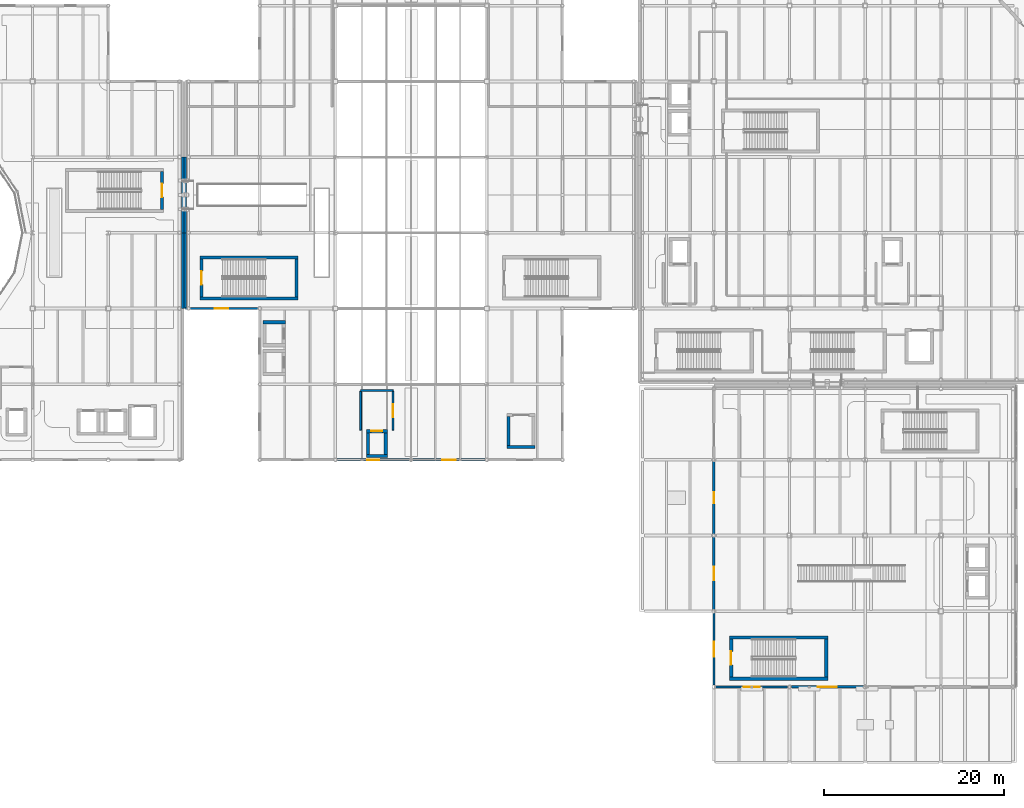
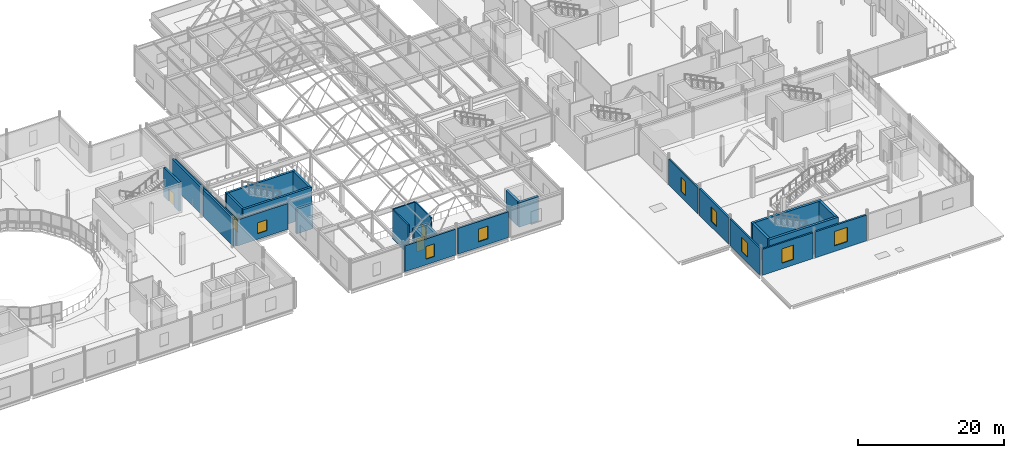
# One storey, part 64 of 103: 31 walls, 8 windows, 5 doors, 13 openings.
"""IFC4 building model written with IfcOpenShell, lengths in metres."""

from ifc_helpers import new_model, si_unit, direction, frame, frame_2d, origin, place, context, subcontext, project, spatial, rectangle, extrude, material, layer, layer_set, type_object, element, fill, save


model = new_model("IFC4")

# Units and contexts
model_context = context("Model", 3, precision=1e-05, world=origin(), true_north=direction((0.0, 1.0)))
body_context = subcontext(model_context, "Body", "Model", "MODEL_VIEW")
ifc_project = project(units=[si_unit("LENGTHUNIT", "METRE"), si_unit("AREAUNIT", "SQUARE_METRE"), si_unit("VOLUMEUNIT", "CUBIC_METRE"), si_unit("PLANEANGLEUNIT", "RADIAN"), si_unit("MASSUNIT", "GRAM", prefix="KILO"), si_unit("THERMODYNAMICTEMPERATUREUNIT", "KELVIN")], contexts=[model_context])

# Site, building, storey
site_placement = place(None, origin())
site = spatial("IfcSite", under=ifc_project, at=site_placement, CompositionType="ELEMENT")
building_placement = place(site_placement, origin())
building = spatial("IfcBuilding", under=site, at=building_placement, Name="Lustrewick Department Store", CompositionType="ELEMENT")
storey_placement = place(building_placement, frame((0.0, 0.0, 16.5)))
storey = spatial("IfcBuildingStorey", under=building, at=storey_placement, Name="L04", CompositionType="ELEMENT", Elevation=16.5)

# Wall, opening, window
ifc_material_1 = material(Name="Precast concrete C40", Category="concrete")
ifc_layer_1 = layer(ifc_material_1, 0.239990234375, Name="Precast concrete C40")
ifc_layer_set_1 = layer_set([ifc_layer_1], Name="Precast concrete C40")
wall_type_1 = type_object("IfcWallType", Name="EW01", PredefinedType="STANDARD", material=ifc_layer_set_1)
wall_1_placement = place(storey_placement, frame((117.60009765625, 25.001953125, 0.0), z_axis=(0.0, 0.0, 1.0), x_axis=(0.0, -1.0, 0.0)))
wall_1 = element("IfcWall", 1, at=wall_1_placement, inside=storey, type_object=wall_type_1, Name="L04 V3 Exterior Wall EW01", PredefinedType="STANDARD", context=body_context, shape_type="SweptSolid", body=[
    extrude(rectangle(XDim=8.00390625, YDim=0.239990234375, at=frame_2d((4.001953125, 0.0))), origin(), (0.0, 0.0, 1.0), 4.487060546875),
])
opening_1_placement = place(wall_1_placement, frame((3.162109375, 0.0, 0.949951171875)))
opening_1 = element("IfcOpeningElement", 2, at=opening_1_placement, cuts=wall_1, Name="Opening WN15", PredefinedType="OPENING", context=body_context, shape_type="SweptSolid", body=[
    extrude(rectangle(XDim=1.679931640625, YDim=2.39990234375, at=frame_2d((0.83984375, 1.199951171875))), frame((0.0, 0.1298828125, 0.0), z_axis=(0.0, -1.0, 0.0), x_axis=(1.0, 0.0, 0.0)), (0.0, 0.0, 1.0), 0.260009765625),
])
ifc_material_2 = material(Name="Thermally broken Low-E triple-glazed window", Category="glass")
window_type_1 = type_object("IfcWindowType", Name="WN15", PartitioningType="DOUBLE_PANEL_VERTICAL", PredefinedType="WINDOW", material=ifc_material_2)
window_1_placement = place(opening_1_placement, origin())
window_1 = element("IfcWindow", 3, at=window_1_placement, inside=storey, type_object=window_type_1, Name="L04 Art Nouveau Window WN15", OverallHeight=2.39990234375, OverallWidth=1.679931640625, PartitioningType="SINGLE_PANEL", PredefinedType="WINDOW", context=body_context, shape_type="SweptSolid", body=[
    extrude(rectangle(XDim=1.679931640625, YDim=2.39990234375, at=frame_2d((0.83984375, 1.199951171875))), frame((0.0, 0.030029296875, 0.0), z_axis=(0.0, -1.0, 0.0), x_axis=(1.0, 0.0, 0.0)), (0.0, 0.0, 1.0), 0.06005859375),
])
fill(opening_1, window_1)

ifc_layer_2 = layer(ifc_material_1, 0.260009765625, Name="Precast concrete C40")
ifc_layer_set_2 = layer_set([ifc_layer_2], Name="Precast concrete C40")
wall_type_2 = type_object("IfcWallType", Name="EW02", PredefinedType="STANDARD", material=ifc_layer_set_2)
wall_2_placement = place(storey_placement, frame((58.949951171875, 58.800048828125, 0.0), z_axis=(0.0, 0.0, 1.0), x_axis=(1.0, 0.0, 0.0)))
wall_2 = element("IfcWall", 4, at=wall_2_placement, inside=storey, type_object=wall_type_2, Name="L04 V2 Exterior Wall EW02", PredefinedType="STANDARD", context=body_context, shape_type="SweptSolid", body=[
    extrude(rectangle(XDim=8.052001953125, YDim=0.260009765625, at=frame_2d((4.02587890625, 0.0))), origin(), (0.0, 0.0, 1.0), 4.3310546875),
])
opening_2_placement = place(wall_2_placement, frame((3.27587890625, 0.0, 0.949951171875)))
opening_2 = element("IfcOpeningElement", 5, at=opening_2_placement, cuts=wall_2, Name="Opening WN03", PredefinedType="OPENING", context=body_context, shape_type="SweptSolid", body=[
    extrude(rectangle(XDim=1.5, YDim=1.800048828125, at=frame_2d((0.75, 0.89990234375))), frame((0.0, 0.14013671875, 0.0), z_axis=(0.0, -1.0, 0.0), x_axis=(1.0, 0.0, 0.0)), (0.0, 0.0, 1.0), 0.280029296875),
])
window_type_2 = type_object("IfcWindowType", Name="WN03", PartitioningType="DOUBLE_PANEL_VERTICAL", PredefinedType="WINDOW", material=ifc_material_2)
window_2_placement = place(opening_2_placement, origin())
window_2 = element("IfcWindow", 6, at=window_2_placement, inside=storey, type_object=window_type_2, Name="L04 Art Nouveau Window WN03", OverallHeight=1.800048828125, OverallWidth=1.5, PartitioningType="SINGLE_PANEL", PredefinedType="WINDOW", context=body_context, shape_type="SweptSolid", body=[
    extrude(rectangle(XDim=1.5, YDim=1.800048828125, at=frame_2d((0.75, 0.89990234375))), frame((0.0, 0.030029296875, 0.0), z_axis=(0.0, -1.0, 0.0), x_axis=(1.0, 0.0, 0.0)), (0.0, 0.0, 1.0), 0.06005859375),
])
fill(opening_2, window_2)

wall_3_placement = place(storey_placement, frame((75.798095703125, 42.0, 0.0), z_axis=(0.0, 0.0, 1.0), x_axis=(1.0, 0.0, 0.0)))
wall_3 = element("IfcWall", 7, at=wall_3_placement, inside=storey, type_object=wall_type_2, Name="L04 V2 Exterior Wall EW02", PredefinedType="STANDARD", context=body_context, shape_type="SweptSolid", body=[
    extrude(rectangle(XDim=8.00390625, YDim=0.260009765625, at=frame_2d((4.001953125, 0.0))), origin(), (0.0, 0.0, 1.0), 4.320068359375),
])
opening_3_placement = place(wall_3_placement, frame((3.326904296875, 0.0, 0.949951171875)))
opening_3 = element("IfcOpeningElement", 8, at=opening_3_placement, cuts=wall_3, Name="Opening WN07", PredefinedType="OPENING", context=body_context, shape_type="SweptSolid", body=[
    extrude(rectangle(XDim=1.35009765625, YDim=2.10009765625, at=frame_2d((0.675048828125, 1.050048828125))), frame((0.0, 0.14013671875, 0.0), z_axis=(0.0, -1.0, 0.0), x_axis=(1.0, 0.0, 0.0)), (0.0, 0.0, 1.0), 0.280029296875),
])
window_type_3 = type_object("IfcWindowType", Name="WN07", PartitioningType="DOUBLE_PANEL_VERTICAL", PredefinedType="WINDOW", material=ifc_material_2)
window_3_placement = place(opening_3_placement, origin())
window_3 = element("IfcWindow", 9, at=window_3_placement, inside=storey, type_object=window_type_3, Name="L04 Art Nouveau Window WN07", OverallHeight=2.10009765625, OverallWidth=1.35009765625, PartitioningType="SINGLE_PANEL", PredefinedType="WINDOW", context=body_context, shape_type="SweptSolid", body=[
    extrude(rectangle(XDim=1.35009765625, YDim=2.10009765625, at=frame_2d((0.675048828125, 1.050048828125))), frame((0.0, 0.030029296875, 0.0), z_axis=(0.0, -1.0, 0.0), x_axis=(1.0, 0.0, 0.0)), (0.0, 0.0, 1.0), 0.06005859375),
])
fill(opening_3, window_3)

wall_4_placement = place(storey_placement, frame((117.60009765625, 41.802001953125, 0.0), z_axis=(0.0, 0.0, 1.0), x_axis=(0.0, -1.0, 0.0)))
wall_4 = element("IfcWall", 10, at=wall_4_placement, inside=storey, type_object=wall_type_2, Name="L04 V3 Exterior Wall EW02", PredefinedType="STANDARD", context=body_context, shape_type="SweptSolid", body=[
    extrude(rectangle(XDim=8.0185546875, YDim=0.260009765625, at=frame_2d((4.00927734375, 0.0))), origin(), (0.0, 0.0, 1.0), 4.320068359375),
])
opening_4_placement = place(wall_4_placement, frame((3.4091796875, 0.0, 0.949951171875)))
opening_4 = element("IfcOpeningElement", 11, at=opening_4_placement, cuts=wall_4, Name="Opening WN13", PredefinedType="OPENING", context=body_context, shape_type="SweptSolid", body=[
    extrude(rectangle(XDim=1.199951171875, YDim=2.39990234375, at=frame_2d((0.60009765625, 1.199951171875))), frame((0.0, 0.14013671875, 0.0), z_axis=(0.0, -1.0, 0.0), x_axis=(1.0, 0.0, 0.0)), (0.0, 0.0, 1.0), 0.280029296875),
])
window_type_4 = type_object("IfcWindowType", Name="WN13", PartitioningType="DOUBLE_PANEL_VERTICAL", PredefinedType="WINDOW", material=ifc_material_2)
window_4_placement = place(opening_4_placement, origin())
window_4 = element("IfcWindow", 12, at=window_4_placement, inside=storey, type_object=window_type_4, Name="L04 Art Nouveau Window WN13", OverallHeight=2.39990234375, OverallWidth=1.199951171875, PartitioningType="SINGLE_PANEL", PredefinedType="WINDOW", context=body_context, shape_type="SweptSolid", body=[
    extrude(rectangle(XDim=1.199951171875, YDim=2.39990234375, at=frame_2d((0.60009765625, 1.199951171875))), frame((0.0, 0.030029296875, 0.0), z_axis=(0.0, -1.0, 0.0), x_axis=(1.0, 0.0, 0.0)), (0.0, 0.0, 1.0), 0.06005859375),
])
fill(opening_4, window_4)

wall_5_placement = place(storey_placement, frame((117.798095703125, 16.800048828125, 0.0), z_axis=(0.0, 0.0, 1.0), x_axis=(1.0, 0.0, 0.0)))
wall_5 = element("IfcWall", 13, at=wall_5_placement, inside=storey, type_object=wall_type_2, Name="L04 V3 Exterior Wall EW02", PredefinedType="STANDARD", context=body_context, shape_type="SweptSolid", body=[
    extrude(rectangle(XDim=8.00390625, YDim=0.260009765625, at=frame_2d((4.001953125, 0.0))), origin(), (0.0, 0.0, 1.0), 4.3310546875),
])
opening_5_placement = place(wall_5_placement, frame((3.10205078125, 0.0, 0.949951171875)))
opening_5 = element("IfcOpeningElement", 14, at=opening_5_placement, cuts=wall_5, Name="Opening WN16", PredefinedType="OPENING", context=body_context, shape_type="SweptSolid", body=[
    extrude(rectangle(XDim=1.800048828125, YDim=2.39990234375, at=frame_2d((0.89990234375, 1.199951171875))), frame((0.0, 0.14013671875, 0.0), z_axis=(0.0, -1.0, 0.0), x_axis=(1.0, 0.0, 0.0)), (0.0, 0.0, 1.0), 0.280029296875),
])
window_type_5 = type_object("IfcWindowType", Name="WN16", PartitioningType="DOUBLE_PANEL_VERTICAL", PredefinedType="WINDOW", material=ifc_material_2)
window_5_placement = place(opening_5_placement, origin())
window_5 = element("IfcWindow", 15, at=window_5_placement, inside=storey, type_object=window_type_5, Name="L04 Art Nouveau Window WN16", OverallHeight=2.39990234375, OverallWidth=1.800048828125, PartitioningType="SINGLE_PANEL", PredefinedType="WINDOW", context=body_context, shape_type="SweptSolid", body=[
    extrude(rectangle(XDim=1.800048828125, YDim=2.39990234375, at=frame_2d((0.89990234375, 1.199951171875))), frame((0.0, 0.030029296875, 0.0), z_axis=(0.0, -1.0, 0.0), x_axis=(1.0, 0.0, 0.0)), (0.0, 0.0, 1.0), 0.06005859375),
])
fill(opening_5, window_5)

ifc_layer_3 = layer(ifc_material_1, 0.280029296875, Name="Precast concrete C40")
ifc_layer_set_3 = layer_set([ifc_layer_3], Name="Precast concrete C40")
wall_type_3 = type_object("IfcWallType", Name="EW03", PredefinedType="STANDARD", material=ifc_layer_set_3)
wall_6_placement = place(storey_placement, frame((84.197998046875, 42.0, 0.0), z_axis=(0.0, 0.0, 1.0), x_axis=(1.0, 0.0, 0.0)))
wall_6 = element("IfcWall", 16, at=wall_6_placement, inside=storey, type_object=wall_type_3, Name="L04 V2 Exterior Wall EW03", PredefinedType="STANDARD", context=body_context, shape_type="SweptSolid", body=[
    extrude(rectangle(XDim=8.00390625, YDim=0.280029296875, at=frame_2d((4.001953125, 0.0))), origin(), (0.0, 0.0, 1.0), 4.320068359375),
])
opening_6_placement = place(wall_6_placement, frame((3.251953125, 0.0, 0.949951171875)))
opening_6 = element("IfcOpeningElement", 17, at=opening_6_placement, cuts=wall_6, Name="Opening WN08", PredefinedType="OPENING", context=body_context, shape_type="SweptSolid", body=[
    extrude(rectangle(XDim=1.5, YDim=2.10009765625, at=frame_2d((0.75, 1.050048828125))), frame((0.0, 0.14990234375, 0.0), z_axis=(0.0, -1.0, 0.0), x_axis=(1.0, 0.0, 0.0)), (0.0, 0.0, 1.0), 0.300048828125),
])
window_type_6 = type_object("IfcWindowType", Name="WN08", PartitioningType="DOUBLE_PANEL_VERTICAL", PredefinedType="WINDOW", material=ifc_material_2)
window_6_placement = place(opening_6_placement, origin())
window_6 = element("IfcWindow", 18, at=window_6_placement, inside=storey, type_object=window_type_6, Name="L04 Art Nouveau Window WN08", OverallHeight=2.10009765625, OverallWidth=1.5, PartitioningType="SINGLE_PANEL", PredefinedType="WINDOW", context=body_context, shape_type="SweptSolid", body=[
    extrude(rectangle(XDim=1.5, YDim=2.10009765625, at=frame_2d((0.75, 1.050048828125))), frame((0.0, 0.030029296875, 0.0), z_axis=(0.0, -1.0, 0.0), x_axis=(1.0, 0.0, 0.0)), (0.0, 0.0, 1.0), 0.06005859375),
])
fill(opening_6, window_6)

wall_7_placement = place(storey_placement, frame((117.60009765625, 33.41650390625, 0.0), z_axis=(0.0, 0.0, 1.0), x_axis=(0.0, -1.0, 0.0)))
wall_7 = element("IfcWall", 19, at=wall_7_placement, inside=storey, type_object=wall_type_3, Name="L04 V3 Exterior Wall EW03", PredefinedType="STANDARD", context=body_context, shape_type="SweptSolid", body=[
    extrude(rectangle(XDim=8.0185546875, YDim=0.280029296875, at=frame_2d((4.00927734375, 0.0))), origin(), (0.0, 0.0, 1.0), 4.487060546875),
])
opening_7_placement = place(wall_7_placement, frame((3.25927734375, 0.0, 0.949951171875)))
opening_7 = element("IfcOpeningElement", 20, at=opening_7_placement, cuts=wall_7, Name="Opening WN14", PredefinedType="OPENING", context=body_context, shape_type="SweptSolid", body=[
    extrude(rectangle(XDim=1.5, YDim=2.39990234375, at=frame_2d((0.75, 1.199951171875))), frame((0.0, 0.14990234375, 0.0), z_axis=(0.0, -1.0, 0.0), x_axis=(1.0, 0.0, 0.0)), (0.0, 0.0, 1.0), 0.300048828125),
])
window_type_7 = type_object("IfcWindowType", Name="WN14", PartitioningType="DOUBLE_PANEL_VERTICAL", PredefinedType="WINDOW", material=ifc_material_2)
window_7_placement = place(opening_7_placement, origin())
window_7 = element("IfcWindow", 21, at=window_7_placement, inside=storey, type_object=window_type_7, Name="L04 Art Nouveau Window WN14", OverallHeight=2.39990234375, OverallWidth=1.5, PartitioningType="SINGLE_PANEL", PredefinedType="WINDOW", context=body_context, shape_type="SweptSolid", body=[
    extrude(rectangle(XDim=1.5, YDim=2.39990234375, at=frame_2d((0.75, 1.199951171875))), frame((0.0, 0.030029296875, 0.0), z_axis=(0.0, -1.0, 0.0), x_axis=(1.0, 0.0, 0.0)), (0.0, 0.0, 1.0), 0.06005859375),
])
fill(opening_7, window_7)

wall_8_placement = place(storey_placement, frame((126.197998046875, 16.800048828125, 0.0), z_axis=(0.0, 0.0, 1.0), x_axis=(1.0, 0.0, 0.0)))
wall_8 = element("IfcWall", 22, at=wall_8_placement, inside=storey, type_object=wall_type_3, Name="L04 V3 Exterior Wall EW03", PredefinedType="STANDARD", context=body_context, shape_type="SweptSolid", body=[
    extrude(rectangle(XDim=8.00390625, YDim=0.280029296875, at=frame_2d((4.001953125, 0.0))), origin(), (0.0, 0.0, 1.0), 4.3310546875),
])
opening_8_placement = place(wall_8_placement, frame((2.951904296875, 0.0, 0.949951171875)))
opening_8 = element("IfcOpeningElement", 23, at=opening_8_placement, cuts=wall_8, Name="Opening WN17", PredefinedType="OPENING", context=body_context, shape_type="SweptSolid", body=[
    extrude(rectangle(XDim=2.10009765625, YDim=2.39990234375, at=frame_2d((1.050048828125, 1.199951171875))), frame((0.0, 0.14990234375, 0.0), z_axis=(0.0, -1.0, 0.0), x_axis=(1.0, 0.0, 0.0)), (0.0, 0.0, 1.0), 0.300048828125),
])
window_type_8 = type_object("IfcWindowType", Name="WN17", PartitioningType="DOUBLE_PANEL_VERTICAL", PredefinedType="WINDOW", material=ifc_material_2)
window_8_placement = place(opening_8_placement, origin())
window_8 = element("IfcWindow", 24, at=window_8_placement, inside=storey, type_object=window_type_8, Name="L04 Art Nouveau Window WN17", OverallHeight=2.39990234375, OverallWidth=2.10009765625, PartitioningType="SINGLE_PANEL", PredefinedType="WINDOW", context=body_context, shape_type="SweptSolid", body=[
    extrude(rectangle(XDim=2.10009765625, YDim=2.39990234375, at=frame_2d((1.050048828125, 1.199951171875))), frame((0.0, 0.030029296875, 0.0), z_axis=(0.0, -1.0, 0.0), x_axis=(1.0, 0.0, 0.0)), (0.0, 0.0, 1.0), 0.06005859375),
])
fill(opening_8, window_8)

# Walls
ifc_layer_4 = layer(ifc_material_1, 0.300048828125, Name="Precast concrete C40")
ifc_layer_set_4 = layer_set([ifc_layer_4], Name="Precast concrete C40")
wall_type_4 = type_object("IfcWallType", Name="EW04", PredefinedType="STANDARD", material=ifc_layer_set_4)
wall_9_placement = place(storey_placement, frame((58.64990234375, 58.800048828125, 0.0), z_axis=(0.0, 0.0, 1.0), x_axis=(0.0, 1.0, 0.0)))
element("IfcWall", 25, at=wall_9_placement, inside=storey, type_object=wall_type_4, Name="L04 V1 Exterior Wall EW04", PredefinedType="STANDARD", context=body_context, shape_type="SweptSolid", body=[
    extrude(rectangle(XDim=8.39990234375, YDim=0.300048828125, at=frame_2d((4.199951171875, 0.0))), origin(), (0.0, 0.0, 1.0), 4.487060546875),
])
wall_10_placement = place(storey_placement, frame((58.64990234375, 67.199951171875, 0.0), z_axis=(0.0, 0.0, 1.0), x_axis=(0.0, 1.0, 0.0)))
element("IfcWall", 26, at=wall_10_placement, inside=storey, type_object=wall_type_4, Name="L04 V1 Exterior Wall EW04", PredefinedType="STANDARD", context=body_context, shape_type="SweptSolid", body=[
    extrude(rectangle(XDim=8.400146484375, YDim=0.300048828125, at=frame_2d((4.2001953125, 0.0))), origin(), (0.0, 0.0, 1.0), 4.487060546875),
])
wall_11_placement = place(storey_placement, frame((58.949951171875, 75.60009765625, 0.0), z_axis=(0.0, 0.0, 1.0), x_axis=(0.0, -1.0, 0.0)))
element("IfcWall", 27, at=wall_11_placement, inside=storey, type_object=wall_type_4, Name="L04 V2 Exterior Wall EW04", PredefinedType="STANDARD", context=body_context, shape_type="SweptSolid", body=[
    extrude(rectangle(XDim=8.400146484375, YDim=0.300048828125, at=frame_2d((4.2001953125, 0.0))), origin(), (0.0, 0.0, 1.0), 4.3310546875),
])
wall_12_placement = place(storey_placement, frame((58.949951171875, 67.199951171875, 0.0), z_axis=(0.0, 0.0, 1.0), x_axis=(0.0, -1.0, 0.0)))
element("IfcWall", 28, at=wall_12_placement, inside=storey, type_object=wall_type_4, Name="L04 V2 Exterior Wall EW04", PredefinedType="STANDARD", context=body_context, shape_type="SweptSolid", body=[
    extrude(rectangle(XDim=8.39990234375, YDim=0.300048828125, at=frame_2d((4.199951171875, 0.0))), origin(), (0.0, 0.0, 1.0), 4.3310546875),
])
ifc_material_3 = material(Name="Autoclaved aerated concrete blockwork and fire board", Category="masonry")
ifc_layer_5 = layer(ifc_material_3, 0.205078125, Name="Autoclaved aerated concrete blockwork and fire board")
ifc_layer_set_5 = layer_set([ifc_layer_5], Name="Autoclaved aerated concrete blockwork and fire board")
wall_type_5 = type_object("IfcWallType", Name="PW02", PredefinedType="PARTITIONING", material=ifc_layer_set_5)
wall_13_placement = place(storey_placement, frame((82.0, 49.699951171875, 0.0), z_axis=(0.0, 0.0, 1.0), x_axis=(-1.0, 0.0, 0.0)))
element("IfcWall", 29, at=wall_13_placement, inside=storey, type_object=wall_type_5, Name="L04 Firefighting Lift Lobby FFL-02 PW02", PredefinedType="PARTITIONING", context=body_context, shape_type="SweptSolid", body=[
    extrude(rectangle(XDim=3.60009765625, YDim=0.205078125, at=frame_2d((1.800048828125, 0.0))), origin(), (0.0, 0.0, 1.0), 4.844970703125),
])

# Wall, opening, door
wall_14_placement = place(storey_placement, frame((82.0, 45.300048828125, 0.0), z_axis=(0.0, 0.0, 1.0), x_axis=(0.0, 1.0, 0.0)))
wall_14 = element("IfcWall", 30, at=wall_14_placement, inside=storey, type_object=wall_type_5, Name="L04 Firefighting Lift Lobby FFL-02 PW02", PredefinedType="PARTITIONING", context=body_context, shape_type="SweptSolid", body=[
    extrude(rectangle(XDim=4.302490234375, YDim=0.205078125, at=frame_2d((2.1513671875, 0.0))), origin(), (0.0, 0.0, 1.0), 4.844970703125),
])
opening_9_placement = place(wall_14_placement, frame((1.451416015625, 0.0, 0.0)))
opening_9 = element("IfcOpeningElement", 31, at=opening_9_placement, cuts=wall_14, Name="Opening D-L04-047", PredefinedType="OPENING", context=body_context, shape_type="SweptSolid", body=[
    extrude(rectangle(XDim=1.39990234375, YDim=2.14990234375, at=frame_2d((0.699951171875, 1.074951171875))), frame((0.0, 0.112548828125, 0.0), z_axis=(0.0, -1.0, 0.0), x_axis=(1.0, 0.0, 0.0)), (0.0, 0.0, 1.0), 0.22509765625),
])
ifc_material_4 = material(Name="Steel fire door Class B EI 60", Category="steel")
door_type_1 = type_object("IfcDoorType", Name="DT-08", OperationType="NOTDEFINED", PredefinedType="DOOR", material=ifc_material_4)
door_1_placement = place(opening_9_placement, origin())
door_1 = element("IfcDoor", 32, at=door_1_placement, inside=storey, type_object=door_type_1, Name="L04 Firefighting Lift Lobby FFL-02 Door D-L04-047", OperationType="SINGLE_SWING_LEFT", OverallHeight=2.14990234375, OverallWidth=1.39990234375, PredefinedType="DOOR", context=body_context, shape_type="SweptSolid", body=[
    extrude(rectangle(XDim=1.39990234375, YDim=2.14990234375, at=frame_2d((0.699951171875, 1.074951171875))), frame((0.0, 0.02490234375, 0.0), z_axis=(0.0, -1.0, 0.0), x_axis=(1.0, 0.0, 0.0)), (0.0, 0.0, 1.0), 0.050048828125),
])
fill(opening_9, door_1)

# Walls
wall_15_placement = place(storey_placement, frame((78.39990234375, 49.6025390625, 0.0), z_axis=(0.0, 0.0, 1.0), x_axis=(0.0, -1.0, 0.0)))
element("IfcWall", 33, at=wall_15_placement, inside=storey, type_object=wall_type_5, Name="L04 Firefighting Lift Lobby FFL-02 PW02", PredefinedType="PARTITIONING", context=body_context, shape_type="SweptSolid", body=[
    extrude(rectangle(XDim=4.302490234375, YDim=0.205078125, at=frame_2d((2.1513671875, 0.0))), origin(), (0.0, 0.0, 1.0), 4.844970703125),
])
ifc_material_5 = material(Name="Concrete C40", Category="concrete")
ifc_layer_6 = layer(ifc_material_5, 0.3798828125, Name="Concrete C40")
ifc_layer_set_6 = layer_set([ifc_layer_6], Name="Concrete C40")
wall_type_6 = type_object("IfcWallType", Name="SW03", PredefinedType="SHEAR", material=ifc_layer_set_6)
wall_16_placement = place(storey_placement, frame((119.320068359375, 17.7099609375, 0.0), z_axis=(0.0, 0.0, 1.0), x_axis=(1.0, 0.0, 0.0)))
element("IfcWall", 34, at=wall_16_placement, inside=storey, type_object=wall_type_6, Name="L04 Stair Core ST07 Shear Wall S", PredefinedType="SHEAR", context=body_context, shape_type="SweptSolid", body=[
    extrude(rectangle(XDim=10.9599609375, YDim=0.3798828125, at=frame_2d((5.47998046875, 0.0))), origin(), (0.0, 0.0, 1.0), 4.844970703125),
])
wall_17_placement = place(storey_placement, frame((130.090087890625, 17.89990234375, 0.0), z_axis=(0.0, 0.0, 1.0), x_axis=(0.0, 1.0, 0.0)))
element("IfcWall", 35, at=wall_17_placement, inside=storey, type_object=wall_type_6, Name="L04 Stair Core ST07 Shear Wall E", PredefinedType="SHEAR", context=body_context, shape_type="SweptSolid", body=[
    extrude(rectangle(XDim=4.2001953125, YDim=0.3798828125, at=frame_2d((2.10009765625, 0.0))), origin(), (0.0, 0.0, 1.0), 4.844970703125),
])
wall_18_placement = place(storey_placement, frame((130.280029296875, 22.2900390625, 0.0), z_axis=(0.0, 0.0, 1.0), x_axis=(-1.0, 0.0, 0.0)))
element("IfcWall", 36, at=wall_18_placement, inside=storey, type_object=wall_type_6, Name="L04 Stair Core ST07 Shear Wall N", PredefinedType="SHEAR", context=body_context, shape_type="SweptSolid", body=[
    extrude(rectangle(XDim=10.9599609375, YDim=0.3798828125, at=frame_2d((5.47998046875, 0.0))), origin(), (0.0, 0.0, 1.0), 4.844970703125),
])

# Wall, opening, door
wall_19_placement = place(storey_placement, frame((119.510009765625, 22.10009765625, 0.0), z_axis=(0.0, 0.0, 1.0), x_axis=(0.0, -1.0, 0.0)))
wall_19 = element("IfcWall", 37, at=wall_19_placement, inside=storey, type_object=wall_type_6, Name="L04 Stair Core ST07 Shear Wall W", PredefinedType="SHEAR", context=body_context, shape_type="SweptSolid", body=[
    extrude(rectangle(XDim=4.2001953125, YDim=0.3798828125, at=frame_2d((2.10009765625, 0.0))), origin(), (0.0, 0.0, 1.0), 4.844970703125),
])
opening_10_placement = place(wall_19_placement, frame((1.35009765625, 0.0, 0.0)))
opening_10 = element("IfcOpeningElement", 38, at=opening_10_placement, cuts=wall_19, Name="Opening D-L04-007", PredefinedType="OPENING", context=body_context, shape_type="SweptSolid", body=[
    extrude(rectangle(XDim=1.5, YDim=2.14990234375, at=frame_2d((0.75, 1.074951171875))), frame((0.0, 0.199951171875, 0.0), z_axis=(0.0, -1.0, 0.0), x_axis=(1.0, 0.0, 0.0)), (0.0, 0.0, 1.0), 0.39990234375),
])
door_type_2 = type_object("IfcDoorType", Name="DT-07", OperationType="NOTDEFINED", PredefinedType="DOOR", material=ifc_material_4)
door_2_placement = place(opening_10_placement, origin())
door_2 = element("IfcDoor", 39, at=door_2_placement, inside=storey, type_object=door_type_2, Name="L04 Smoke-Proof Stair ST07 Fire Door", OperationType="SINGLE_SWING_RIGHT", OverallHeight=2.14990234375, OverallWidth=1.5, PredefinedType="DOOR", context=body_context, shape_type="SweptSolid", body=[
    extrude(rectangle(XDim=1.5, YDim=2.14990234375, at=frame_2d((0.75, 1.074951171875))), frame((0.0, 0.02490234375, 0.0), z_axis=(0.0, -1.0, 0.0), x_axis=(1.0, 0.0, 0.0)), (0.0, 0.0, 1.0), 0.050048828125),
])
fill(opening_10, door_2)

# Walls
ifc_layer_7 = layer(ifc_material_5, 0.360107421875, Name="Concrete C40")
ifc_layer_set_7 = layer_set([ifc_layer_7], Name="Concrete C40")
wall_type_7 = type_object("IfcWallType", Name="SW04", PredefinedType="SHEAR", material=ifc_layer_set_7)
wall_20_placement = place(storey_placement, frame((79.0400390625, 42.419921875, 0.0), z_axis=(0.0, 0.0, 1.0), x_axis=(1.0, 0.0, 0.0)))
element("IfcWall", 40, at=wall_20_placement, inside=storey, type_object=wall_type_7, Name="L04 Lift FFL-02 Shaft Wall -Y", PredefinedType="SHEAR", context=body_context, shape_type="SweptSolid", body=[
    extrude(rectangle(XDim=2.320068359375, YDim=0.360107421875, at=frame_2d((1.16015625, 0.0))), origin(), (0.0, 0.0, 1.0), 4.094970703125),
])
wall_21_placement = place(storey_placement, frame((81.179931640625, 42.60009765625, 0.0), z_axis=(0.0, 0.0, 1.0), x_axis=(0.0, 1.0, 0.0)))
element("IfcWall", 41, at=wall_21_placement, inside=storey, type_object=wall_type_7, Name="L04 Lift FFL-02 Shaft Wall +X", PredefinedType="SHEAR", context=body_context, shape_type="SweptSolid", body=[
    extrude(rectangle(XDim=2.39990234375, YDim=0.360107421875, at=frame_2d((1.199951171875, 0.0))), origin(), (0.0, 0.0, 1.0), 4.094970703125),
])

# Wall, opening, door
wall_22_placement = place(storey_placement, frame((81.360107421875, 45.179931640625, 0.0), z_axis=(0.0, 0.0, 1.0), x_axis=(-1.0, 0.0, 0.0)))
wall_22 = element("IfcWall", 42, at=wall_22_placement, inside=storey, type_object=wall_type_7, Name="L04 Lift FFL-02 Shaft Wall +Y", PredefinedType="SHEAR", context=body_context, shape_type="SweptSolid", body=[
    extrude(rectangle(XDim=2.320068359375, YDim=0.360107421875, at=frame_2d((1.16015625, 0.0))), origin(), (0.0, 0.0, 1.0), 4.094970703125),
])
opening_11_placement = place(wall_22_placement, frame((0.534912109375, 0.0, 0.0)))
opening_11 = element("IfcOpeningElement", 43, at=opening_11_placement, cuts=wall_22, Name="Opening LD-L04-02", PredefinedType="OPENING", context=body_context, shape_type="SweptSolid", body=[
    extrude(rectangle(XDim=1.25, YDim=2.199951171875, at=frame_2d((0.625, 1.10009765625))), frame((0.0, 0.18994140625, 0.0), z_axis=(0.0, -1.0, 0.0), x_axis=(1.0, 0.0, 0.0)), (0.0, 0.0, 1.0), 0.380126953125),
])
ifc_material_6 = material(Name="Stainless steel firefighting lift landing door EI 90", Category="steel")
door_type_3 = type_object("IfcDoorType", Name="DT-15", OperationType="NOTDEFINED", PredefinedType="DOOR", material=ifc_material_6)
door_3_placement = place(opening_11_placement, frame((1.25, 0.0, 0.0), z_axis=(0.0, 0.0, 1.0), x_axis=(-1.0, 0.0, 0.0)))
door_3 = element("IfcDoor", 44, at=door_3_placement, inside=storey, type_object=door_type_3, Name="L04 Lift FFL-02 Sliding Landing Door LD-L04-02", OperationType="DOUBLE_DOOR_SLIDING", OverallHeight=2.199951171875, OverallWidth=1.25, PredefinedType="DOOR", context=body_context, shape_type="SweptSolid", body=[
    extrude(rectangle(XDim=1.25, YDim=2.199951171875, at=frame_2d((0.625, 1.10009765625))), frame((0.0, 0.02490234375, 0.0), z_axis=(0.0, -1.0, 0.0), x_axis=(1.0, 0.0, 0.0)), (0.0, 0.0, 1.0), 0.050048828125),
])
fill(opening_11, door_3)

# Walls
wall_23_placement = place(storey_placement, frame((79.219970703125, 45.0, 0.0), z_axis=(0.0, 0.0, 1.0), x_axis=(0.0, -1.0, 0.0)))
element("IfcWall", 45, at=wall_23_placement, inside=storey, type_object=wall_type_7, Name="L04 Lift FFL-02 Shaft Wall -X", PredefinedType="SHEAR", context=body_context, shape_type="SweptSolid", body=[
    extrude(rectangle(XDim=2.39990234375, YDim=0.360107421875, at=frame_2d((1.199951171875, 0.0))), origin(), (0.0, 0.0, 1.0), 4.094970703125),
])
wall_24_placement = place(storey_placement, frame((70.06005859375, 57.280029296875, 0.0), z_axis=(0.0, 0.0, 1.0), x_axis=(-1.0, 0.0, 0.0)))
element("IfcWall", 46, at=wall_24_placement, inside=storey, type_object=wall_type_7, Name="L04 Lift PL-04 Shaft Wall +Y", PredefinedType="SHEAR", context=body_context, shape_type="SweptSolid", body=[
    extrude(rectangle(XDim=2.52001953125, YDim=0.360107421875, at=frame_2d((1.260009765625, 0.0))), origin(), (0.0, 0.0, 1.0), 4.094970703125),
])
wall_25_placement = place(storey_placement, frame((94.639892578125, 43.419921875, 0.0), z_axis=(0.0, 0.0, 1.0), x_axis=(1.0, 0.0, 0.0)))
element("IfcWall", 47, at=wall_25_placement, inside=storey, type_object=wall_type_7, Name="L04 Lift GL-02 Shaft Wall -Y", PredefinedType="SHEAR", context=body_context, shape_type="SweptSolid", body=[
    extrude(rectangle(XDim=3.1201171875, YDim=0.360107421875, at=frame_2d((1.56005859375, 0.0))), origin(), (0.0, 0.0, 1.0), 4.094970703125),
])
wall_26_placement = place(storey_placement, frame((94.820068359375, 46.800048828125, 0.0), z_axis=(0.0, 0.0, 1.0), x_axis=(0.0, -1.0, 0.0)))
element("IfcWall", 48, at=wall_26_placement, inside=storey, type_object=wall_type_7, Name="L04 Lift GL-02 Shaft Wall -X", PredefinedType="SHEAR", context=body_context, shape_type="SweptSolid", body=[
    extrude(rectangle(XDim=3.199951171875, YDim=0.360107421875, at=frame_2d((1.60009765625, 0.0))), origin(), (0.0, 0.0, 1.0), 4.094970703125),
])

# Wall, opening, door
ifc_layer_8 = layer(ifc_material_5, 0.340087890625, Name="Concrete C40")
ifc_layer_set_8 = layer_set([ifc_layer_8], Name="Concrete C40")
wall_type_8 = type_object("IfcWallType", Name="SW05", PredefinedType="SHEAR", material=ifc_layer_set_8)
wall_27_placement = place(storey_placement, frame((56.3701171875, 69.800048828125, 0.0), z_axis=(0.0, 0.0, 1.0), x_axis=(0.0, 1.0, 0.0)))
wall_27 = element("IfcWall", 49, at=wall_27_placement, inside=storey, type_object=wall_type_8, Name="L04 Stair Core ST02 Shear Wall E", PredefinedType="SHEAR", context=body_context, shape_type="SweptSolid", body=[
    extrude(rectangle(XDim=4.199951171875, YDim=0.340087890625, at=frame_2d((2.10009765625, 0.0))), origin(), (0.0, 0.0, 1.0), 4.844970703125),
])
opening_12_placement = place(wall_27_placement, frame((1.35009765625, 0.0, 0.0)))
opening_12 = element("IfcOpeningElement", 50, at=opening_12_placement, cuts=wall_27, Name="Opening D-L04-002", PredefinedType="OPENING", context=body_context, shape_type="SweptSolid", body=[
    extrude(rectangle(XDim=1.5, YDim=2.14990234375, at=frame_2d((0.75, 1.074951171875))), frame((0.0, 0.18017578125, 0.0), z_axis=(0.0, -1.0, 0.0), x_axis=(1.0, 0.0, 0.0)), (0.0, 0.0, 1.0), 0.360107421875),
])
door_4_placement = place(opening_12_placement, origin())
door_4 = element("IfcDoor", 51, at=door_4_placement, inside=storey, type_object=door_type_2, Name="L04 Smoke-Proof Stair ST02 Fire Door", OperationType="SINGLE_SWING_LEFT", OverallHeight=2.14990234375, OverallWidth=1.5, PredefinedType="DOOR", context=body_context, shape_type="SweptSolid", body=[
    extrude(rectangle(XDim=1.5, YDim=2.14990234375, at=frame_2d((0.75, 1.074951171875))), frame((0.0, 0.02490234375, 0.0), z_axis=(0.0, -1.0, 0.0), x_axis=(1.0, 0.0, 0.0)), (0.0, 0.0, 1.0), 0.050048828125),
])
fill(opening_12, door_4)

# Walls
wall_28_placement = place(storey_placement, frame((60.56005859375, 59.929931640625, 0.0), z_axis=(0.0, 0.0, 1.0), x_axis=(1.0, 0.0, 0.0)))
element("IfcWall", 52, at=wall_28_placement, inside=storey, type_object=wall_type_8, Name="L04 Stair Core ST04 Shear Wall S", PredefinedType="SHEAR", context=body_context, shape_type="SweptSolid", body=[
    extrude(rectangle(XDim=10.8798828125, YDim=0.340087890625, at=frame_2d((5.43994140625, 0.0))), origin(), (0.0, 0.0, 1.0), 4.844970703125),
])
wall_29_placement = place(storey_placement, frame((71.27001953125, 60.10009765625, 0.0), z_axis=(0.0, 0.0, 1.0), x_axis=(0.0, 1.0, 0.0)))
element("IfcWall", 53, at=wall_29_placement, inside=storey, type_object=wall_type_8, Name="L04 Stair Core ST04 Shear Wall E", PredefinedType="SHEAR", context=body_context, shape_type="SweptSolid", body=[
    extrude(rectangle(XDim=4.199951171875, YDim=0.340087890625, at=frame_2d((2.10009765625, 0.0))), origin(), (0.0, 0.0, 1.0), 4.844970703125),
])
wall_30_placement = place(storey_placement, frame((71.43994140625, 64.469970703125, 0.0), z_axis=(0.0, 0.0, 1.0), x_axis=(-1.0, 0.0, 0.0)))
element("IfcWall", 54, at=wall_30_placement, inside=storey, type_object=wall_type_8, Name="L04 Stair Core ST04 Shear Wall N", PredefinedType="SHEAR", context=body_context, shape_type="SweptSolid", body=[
    extrude(rectangle(XDim=10.8798828125, YDim=0.340087890625, at=frame_2d((5.43994140625, 0.0))), origin(), (0.0, 0.0, 1.0), 4.844970703125),
])

# Wall, opening, door
wall_31_placement = place(storey_placement, frame((60.72998046875, 64.300048828125, 0.0), z_axis=(0.0, 0.0, 1.0), x_axis=(0.0, -1.0, 0.0)))
wall_31 = element("IfcWall", 55, at=wall_31_placement, inside=storey, type_object=wall_type_8, Name="L04 Stair Core ST04 Shear Wall W", PredefinedType="SHEAR", context=body_context, shape_type="SweptSolid", body=[
    extrude(rectangle(XDim=4.199951171875, YDim=0.340087890625, at=frame_2d((2.10009765625, 0.0))), origin(), (0.0, 0.0, 1.0), 4.844970703125),
])
opening_13_placement = place(wall_31_placement, frame((1.35009765625, 0.0, 0.0)))
opening_13 = element("IfcOpeningElement", 56, at=opening_13_placement, cuts=wall_31, Name="Opening D-L04-004", PredefinedType="OPENING", context=body_context, shape_type="SweptSolid", body=[
    extrude(rectangle(XDim=1.5, YDim=2.14990234375, at=frame_2d((0.75, 1.074951171875))), frame((0.0, 0.18017578125, 0.0), z_axis=(0.0, -1.0, 0.0), x_axis=(1.0, 0.0, 0.0)), (0.0, 0.0, 1.0), 0.360107421875),
])
door_5_placement = place(opening_13_placement, origin())
door_5 = element("IfcDoor", 57, at=door_5_placement, inside=storey, type_object=door_type_2, Name="L04 Smoke-Proof Stair ST04 Fire Door", OperationType="SINGLE_SWING_LEFT", OverallHeight=2.14990234375, OverallWidth=1.5, PredefinedType="DOOR", context=body_context, shape_type="SweptSolid", body=[
    extrude(rectangle(XDim=1.5, YDim=2.14990234375, at=frame_2d((0.75, 1.074951171875))), frame((0.0, 0.02490234375, 0.0), z_axis=(0.0, -1.0, 0.0), x_axis=(1.0, 0.0, 0.0)), (0.0, 0.0, 1.0), 0.050048828125),
])
fill(opening_13, door_5)

save(model, "model.ifc")
